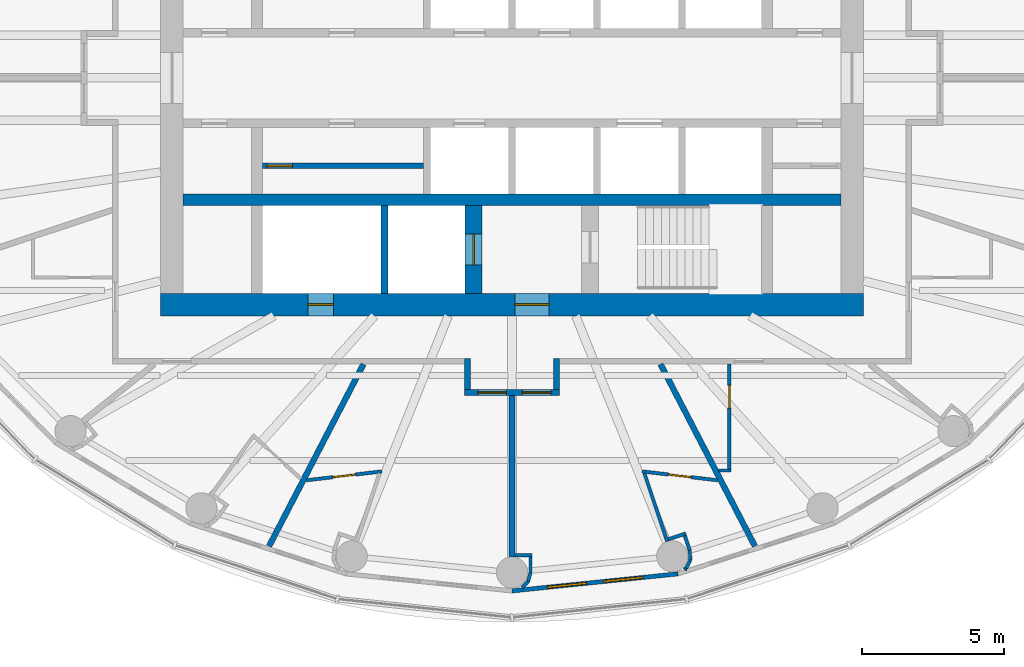
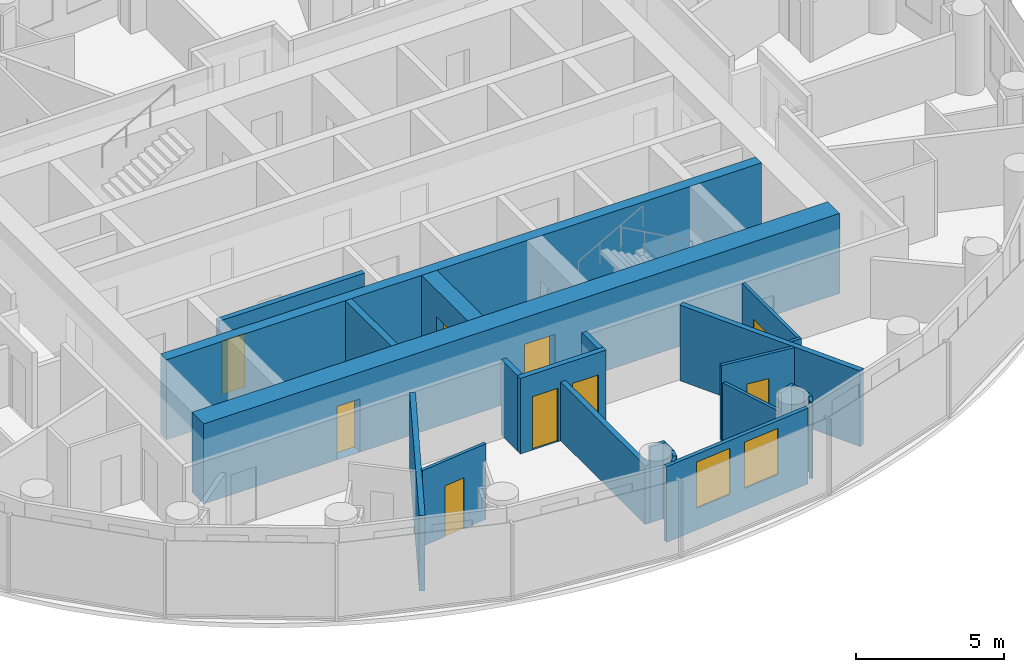
# One storey, part 7 of 16: 26 walls, 9 doors, 2 windows, 11 openings.
"""IFC4 building model written with IfcOpenShell, lengths in metres."""

import ifcopenshell
import ifcopenshell.guid

model = None  # the IFC model being written
_history = None  # IfcOwnerHistory: only IFC2X3 demands one
_inside = {}  # id of a spatial element -> (the spatial element, [elements in it])
_under = {}  # id of a project, library or spatial element -> (it, [spatial elements below it])
_declared = {}  # id of a project -> (the project, [libraries it declares])
_typed = {}  # id of a type object -> (the type object, [elements of that type])
_made_of = {}  # id of a material, layer set ... -> (it, [elements and type objects made of it])


def new_model(schema):
    """Start an empty IFC model of exactly this schema.

    Asked for "IFC4X3", IfcOpenShell would pick the latest addendum, in which some entities
    have other attributes; the version numbers below select the first issue.
    IFC2X3 requires an IfcOwnerHistory on every rooted entity: one is made here for all.
    """
    global model, _history
    if schema == "IFC4X3":
        model = ifcopenshell.file(schema_version=(4, 3, 0, 0))
    else:
        model = ifcopenshell.file(schema=schema)
    _inside.clear()
    _under.clear()
    _declared.clear()
    _typed.clear()
    _made_of.clear()
    _history = None
    if model.schema == "IFC2X3":
        org = make("IfcOrganization", Name="unknown")
        user = make(
            "IfcPersonAndOrganization",
            ThePerson=make("IfcPerson", FamilyName="unknown"),
            TheOrganization=org,
        )
        app = make(
            "IfcApplication",
            ApplicationDeveloper=org,
            Version="unknown",
            ApplicationFullName="unknown",
            ApplicationIdentifier="unknown",
        )
        _history = make(
            "IfcOwnerHistory",
            OwningUser=user,
            OwningApplication=app,
            ChangeAction="ADDED",
            CreationDate=0,
        )
    return model


def make(cls, **values):
    """One entity of the class cls with the attributes given. An attribute that is None is left unset."""
    return model.create_entity(
        cls, **{name: value for name, value in values.items() if value is not None}
    )


def rooted(cls, **values):
    """An entity with a GlobalId (a new one), such as an element, a storey or a relation."""
    return make(cls, GlobalId=ifcopenshell.guid.new(), OwnerHistory=_history, **values)


def si_unit(unit_type, name, prefix=None):
    """IfcSIUnit, for example si_unit("LENGTHUNIT", "METRE", prefix="MILLI")."""
    return make("IfcSIUnit", UnitType=unit_type, Prefix=prefix, Name=name)


def assignment(units):
    """IfcUnitAssignment: the units of a project."""
    return None if units is None else make("IfcUnitAssignment", Units=units)


def point(xyz):
    """IfcCartesianPoint."""
    return None if xyz is None else make("IfcCartesianPoint", Coordinates=xyz)


def direction(xyz):
    """IfcDirection."""
    return None if xyz is None else make("IfcDirection", DirectionRatios=xyz)


def frame(location, z_axis=None, x_axis=None):
    """IfcAxis2Placement3D, a coordinate frame: its origin and axes. An axis left out is left unset."""
    return make(
        "IfcAxis2Placement3D",
        Location=point(location),
        Axis=direction(z_axis),
        RefDirection=direction(x_axis),
    )


def frame_2d(location, x_axis=None):
    """IfcAxis2Placement2D, a coordinate frame in the plane: its origin and x axis."""
    return make(
        "IfcAxis2Placement2D", Location=point(location), RefDirection=direction(x_axis)
    )


def origin():
    """The frame at (0, 0, 0) with its axes left unset."""
    return frame((0.0, 0.0, 0.0))


def place(relative_to, where):
    """IfcLocalPlacement: puts the frame where relative to a parent placement (None: the world)."""
    return make(
        "IfcLocalPlacement", PlacementRelTo=relative_to, RelativePlacement=where
    )


def context(
    kind, dimensions, precision=None, world=None, true_north=None, identifier=None
):
    """IfcGeometricRepresentationContext, for example the 3D "Model" context."""
    return make(
        "IfcGeometricRepresentationContext",
        ContextIdentifier=identifier,
        ContextType=kind,
        CoordinateSpaceDimension=dimensions,
        Precision=precision,
        WorldCoordinateSystem=world,
        TrueNorth=true_north,
    )


def subcontext(parent, identifier, kind, view, scale=None):
    """IfcGeometricRepresentationSubContext, for example "Body" below "Model"."""
    return make(
        "IfcGeometricRepresentationSubContext",
        ContextIdentifier=identifier,
        ContextType=kind,
        ParentContext=parent,
        TargetScale=scale,
        TargetView=view,
    )


def project(units=None, contexts=None):
    """IfcProject with its units and contexts."""
    return rooted(
        "IfcProject",
        Name="project",
        RepresentationContexts=contexts,
        UnitsInContext=assignment(units),
    )


def spatial(cls, under=None, at=None, **own):
    """A site, building, storey or space (cls), placed at a placement, below another one or the project."""
    s = rooted(cls, ObjectPlacement=at, **own)
    if under is not None:
        _under.setdefault(under.id(), (under, []))[1].append(s)
    return s


def profile(cls, at=None, kind="AREA", **sizes):
    """A parametric profile (cls). Its sizes go by their IFC names, for example OverallWidth=200.0."""
    return make(cls, ProfileType=kind, Position=at, **sizes)


def rectangle(**sizes):
    """IfcRectangleProfileDef."""
    return profile("IfcRectangleProfileDef", **sizes)


def extrude(swept, where, along, depth):
    """IfcExtrudedAreaSolid: the profile swept, set in the frame where, extruded along a direction by depth."""
    return make(
        "IfcExtrudedAreaSolid",
        SweptArea=swept,
        Position=where,
        ExtrudedDirection=direction(along),
        Depth=depth,
    )


def shape(context_of_items, identifier, shape_type, items):
    """IfcShapeRepresentation: the items that make up one representation, for example the "Body"."""
    return make(
        "IfcShapeRepresentation",
        ContextOfItems=context_of_items,
        RepresentationIdentifier=identifier,
        RepresentationType=shape_type,
        Items=items,
    )


def material(Name=None, Category=None):
    """IfcMaterial."""
    return make("IfcMaterial", Name=Name, Category=Category)


def layer(
    of_material, thickness, ventilated=None, Name=None, Category=None, Priority=None
):
    """IfcMaterialLayer: one layer of a wall or slab, of a material (None: an air gap)."""
    return make(
        "IfcMaterialLayer",
        Material=of_material,
        LayerThickness=thickness,
        IsVentilated=ventilated,
        Name=Name,
        Category=Category,
        Priority=Priority,
    )


def layer_set(layers, Name=None):
    """IfcMaterialLayerSet."""
    return make("IfcMaterialLayerSet", MaterialLayers=layers, LayerSetName=Name)


def made_of(thing, what):
    """Note that an element or type object is made of a material, layer set ...; save() writes the relation."""
    if what is not None:
        _made_of.setdefault(what.id(), (what, []))[1].append(thing)
    return thing


def type_object(cls, material=None, **own):
    """A type object (cls), such as IfcWallType, which elements share."""
    return made_of(rooted(cls, **own), material)


def element(
    cls,
    number,
    at=None,
    inside=None,
    cuts=None,
    type_object=None,
    material=None,
    context=None,
    identifier="Body",
    shape_type=None,
    held_by="IfcProductDefinitionShape",
    body=None,
    shapes=None,
    **own,
):
    """One element of the class cls, such as IfcWall. Its Tag is "e" and its number.

    at: its placement. inside: the storey or other place that contains it. cuts: it is an
    opening in that element (IfcRelVoidsElement). A single representation is given by context,
    identifier, shape_type and body (its items); several are given by shapes. held_by: the class
    of the entity that holds the representations. save() writes the other relations.
    """
    e = rooted(cls, Tag="e%d" % number, ObjectPlacement=at, **own)
    if body is not None:
        shapes = [shape(context, identifier, shape_type, body)]
    if shapes is not None:
        e.Representation = make(held_by, Representations=shapes)
    if inside is not None:
        _inside.setdefault(inside.id(), (inside, []))[1].append(e)
    if cuts is not None:
        rooted(
            "IfcRelVoidsElement", RelatingBuildingElement=cuts, RelatedOpeningElement=e
        )
    if type_object is not None:
        _typed.setdefault(type_object.id(), (type_object, []))[1].append(e)
    return made_of(e, material)


def fill(opening, filler):
    """IfcRelFillsElement: the door or window that sits in an opening."""
    return rooted(
        "IfcRelFillsElement",
        RelatingOpeningElement=opening,
        RelatedBuildingElement=filler,
    )


def aggregate(whole, parts):
    """IfcRelAggregates: a whole, such as a stair, and the parts it consists of."""
    return rooted("IfcRelAggregates", RelatingObject=whole, RelatedObjects=parts)


def save(model, path):
    """Write the relations noted so far, then the file.

    IfcRelAggregates (storeys below a building ...), IfcRelContainedInSpatialStructure (elements
    in a storey), IfcRelDefinesByType, IfcRelAssociatesMaterial and IfcRelDeclares: one each for
    every whole, place, type object, material and project.
    """
    for whole, parts in _under.values():
        aggregate(whole, parts)
    for where, things in _inside.values():
        rooted(
            "IfcRelContainedInSpatialStructure",
            RelatedElements=things,
            RelatingStructure=where,
        )
    for kind, things in _typed.values():
        rooted("IfcRelDefinesByType", RelatedObjects=things, RelatingType=kind)
    for what, things in _made_of.values():
        rooted("IfcRelAssociatesMaterial", RelatedObjects=things, RelatingMaterial=what)
    for by, libraries in _declared.values():
        rooted("IfcRelDeclares", RelatingContext=by, RelatedDefinitions=libraries)
    model.write(path)


model = new_model("IFC4")

# Units and contexts
model_context = context("Model", 3, precision=1e-05, world=origin(), true_north=direction((0.0, 1.0)))
body_context = subcontext(model_context, "Body", "Model", "MODEL_VIEW")
ifc_project = project(units=[si_unit("LENGTHUNIT", "METRE"), si_unit("AREAUNIT", "SQUARE_METRE"), si_unit("VOLUMEUNIT", "CUBIC_METRE"), si_unit("PLANEANGLEUNIT", "RADIAN"), si_unit("MASSUNIT", "GRAM", prefix="KILO")], contexts=[model_context])

# Site, building, storey
site_placement = place(None, origin())
site = spatial("IfcSite", under=ifc_project, at=site_placement, CompositionType="ELEMENT")
building_placement = place(site_placement, origin())
building = spatial("IfcBuilding", under=site, at=building_placement, Name="Hankou Lantern Tower", CompositionType="ELEMENT")
storey_placement = place(building_placement, frame((0.0, 0.0, 150.0)))
storey = spatial("IfcBuildingStorey", under=building, at=storey_placement, Name="L39", CompositionType="ELEMENT", Elevation=150.0)

# Wall, openings, doors
ifc_material_1 = material(Name="Concrete C60", Category="concrete")
ifc_layer_1 = layer(ifc_material_1, 0.800048828125)
ifc_layer_set_1 = layer_set([ifc_layer_1], Name="Concrete C60")
wall_type_1 = type_object("IfcWallType", Name="CW2 CORE WALL 800", PredefinedType="SHEAR", material=ifc_layer_set_1)
wall_1_placement = place(storey_placement, frame((12.39990234375, -8.0, 0.0), z_axis=(0.0, 0.0, 1.0), x_axis=(-1.0, 0.0, 0.0)))
wall_1 = element("IfcWall", 1, at=wall_1_placement, inside=storey, type_object=wall_type_1, Name="Core wall south L39", PredefinedType="SHEAR", context=body_context, shape_type="SweptSolid", body=[
    extrude(rectangle(XDim=24.7998046875, YDim=0.800048828125, at=frame_2d((12.39990234375, 0.0))), origin(), (0.0, 0.0, 1.0), 3.300048828125),
])
opening_1_placement = place(wall_1_placement, frame((11.10009765625, 0.0, 0.0)))
opening_1 = element("IfcOpeningElement", 2, at=opening_1_placement, cuts=wall_1, Name="Opening D5", PredefinedType="OPENING", context=body_context, shape_type="SweptSolid", body=[
    extrude(rectangle(XDim=1.199951171875, YDim=2.199951171875, at=frame_2d((0.60009765625, 1.10009765625))), frame((0.0, 0.409912109375, 0.0), z_axis=(0.0, -1.0, 0.0), x_axis=(1.0, 0.0, 0.0)), (0.0, 0.0, 1.0), 0.820068359375),
])
opening_2_placement = place(wall_1_placement, frame((18.699951171875, 0.0, 0.0)))
opening_2 = element("IfcOpeningElement", 3, at=opening_2_placement, cuts=wall_1, Name="Opening D7", PredefinedType="OPENING", context=body_context, shape_type="SweptSolid", body=[
    extrude(rectangle(XDim=0.89990234375, YDim=2.199951171875, at=frame_2d((0.449951171875, 1.10009765625))), frame((0.0, 0.409912109375, 0.0), z_axis=(0.0, -1.0, 0.0), x_axis=(1.0, 0.0, 0.0)), (0.0, 0.0, 1.0), 0.820068359375),
])
ifc_material_2 = material(Name="Steel door leaf", Category="steel")
door_type_1 = type_object("IfcDoorType", Name="D5 STAIR LOBBY DOOR 1200X2200", OperationType="SINGLE_SWING_LEFT", PredefinedType="DOOR", material=ifc_material_2)
door_1_placement = place(opening_1_placement, origin())
door_1 = element("IfcDoor", 4, at=door_1_placement, inside=storey, type_object=door_type_1, Name="Stair B lobby door", OperationType="SINGLE_SWING_LEFT", OverallHeight=2.199951171875, OverallWidth=1.199951171875, PredefinedType="DOOR", context=body_context, shape_type="SweptSolid", body=[
    extrude(rectangle(XDim=1.199951171875, YDim=2.199951171875, at=frame_2d((0.60009765625, 1.10009765625))), frame((0.0, 0.02490234375, 0.0), z_axis=(0.0, -1.0, 0.0), x_axis=(1.0, 0.0, 0.0)), (0.0, 0.0, 1.0), 0.050048828125),
])
fill(opening_1, door_1)
ifc_material_3 = material(Name="Steel door leaf", Category="steel")
door_type_2 = type_object("IfcDoorType", Name="D7 RISER DOOR 900X2200", OperationType="SINGLE_SWING_LEFT", PredefinedType="DOOR", material=ifc_material_3)
door_2_placement = place(opening_2_placement, origin())
door_2 = element("IfcDoor", 5, at=door_2_placement, inside=storey, type_object=door_type_2, Name="Riser S1 door", OperationType="SINGLE_SWING_RIGHT", OverallHeight=2.199951171875, OverallWidth=0.89990234375, PredefinedType="DOOR", context=body_context, shape_type="SweptSolid", body=[
    extrude(rectangle(XDim=0.89990234375, YDim=2.199951171875, at=frame_2d((0.449951171875, 1.10009765625))), frame((0.0, 0.02490234375, 0.0), z_axis=(0.0, -1.0, 0.0), x_axis=(1.0, 0.0, 0.0)), (0.0, 0.0, 1.0), 0.050048828125),
])
fill(opening_2, door_2)

# Wall
ifc_material_4 = material(Name="Concrete C60", Category="concrete")
ifc_layer_2 = layer(ifc_material_4, 0.39990234375)
ifc_layer_set_2 = layer_set([ifc_layer_2], Name="Concrete C60")
wall_type_2 = type_object("IfcWallType", Name="CW4 CORE CROSS WALL 400", PredefinedType="SHEAR", material=ifc_layer_set_2)
wall_2_placement = place(storey_placement, frame((-11.60009765625, -4.300048828125, 0.0), z_axis=(0.0, 0.0, 1.0), x_axis=(1.0, 0.0, 0.0)))
element("IfcWall", 6, at=wall_2_placement, inside=storey, type_object=wall_type_2, Name="Core band wall south L39", PredefinedType="SHEAR", context=body_context, shape_type="SweptSolid", body=[
    extrude(rectangle(XDim=23.2001953125, YDim=0.39990234375, at=frame_2d((11.60009765625, 0.0))), origin(), (0.0, 0.0, 1.0), 3.300048828125),
])

# Wall, opening, door
ifc_material_5 = material(Name="Concrete C60", Category="concrete")
ifc_layer_3 = layer(ifc_material_5, 0.60009765625)
ifc_layer_set_3 = layer_set([ifc_layer_3], Name="Concrete C60")
wall_type_3 = type_object("IfcWallType", Name="CW6 STAIR AND SHAFT WALL 600", PredefinedType="SHEAR", material=ifc_layer_set_3)
wall_3_placement = place(storey_placement, frame((-1.35009765625, -7.60009765625, 0.0), z_axis=(0.0, 0.0, 1.0), x_axis=(0.0, 1.0, 0.0)))
wall_3 = element("IfcWall", 7, at=wall_3_placement, inside=storey, type_object=wall_type_3, Name="Firefighting lift shaft wall L39", PredefinedType="SHEAR", context=body_context, shape_type="SweptSolid", body=[
    extrude(rectangle(XDim=3.10009765625, YDim=0.60009765625, at=frame_2d((1.550048828125, 0.0))), origin(), (0.0, 0.0, 1.0), 3.300048828125),
])
opening_3_placement = place(wall_3_placement, frame((1.0, 0.0, 0.0)))
opening_3 = element("IfcOpeningElement", 8, at=opening_3_placement, cuts=wall_3, Name="Opening LD2", PredefinedType="OPENING", context=body_context, shape_type="SweptSolid", body=[
    extrude(rectangle(XDim=1.10009765625, YDim=2.199951171875, at=frame_2d((0.550048828125, 1.10009765625))), frame((0.0, 0.31005859375, 0.0), z_axis=(0.0, -1.0, 0.0), x_axis=(1.0, 0.0, 0.0)), (0.0, 0.0, 1.0), 0.6201171875),
])
ifc_material_6 = material(Name="Steel door leaf", Category="steel")
door_type_3 = type_object("IfcDoorType", Name="LD2 FIREFIGHTING LIFT LANDING DOOR 1100X2200", OperationType="DOUBLE_DOOR_SLIDING", PredefinedType="DOOR", material=ifc_material_6)
door_3_placement = place(opening_3_placement, origin())
door_3 = element("IfcDoor", 9, at=door_3_placement, inside=storey, type_object=door_type_3, Name="Firefighting lift FL2 landing door", OperationType="DOUBLE_DOOR_SLIDING", OverallHeight=2.199951171875, OverallWidth=1.10009765625, PredefinedType="DOOR", context=body_context, shape_type="SweptSolid", body=[
    extrude(rectangle(XDim=1.10009765625, YDim=2.199951171875, at=frame_2d((0.550048828125, 1.10009765625))), frame((0.0, 0.02490234375, 0.0), z_axis=(0.0, -1.0, 0.0), x_axis=(1.0, 0.0, 0.0)), (0.0, 0.0, 1.0), 0.050048828125),
])
fill(opening_3, door_3)

# Wall, openings, windows
ifc_material_7 = material(Name="Aluminium spandrel panel on steel studs", Category="steel")
ifc_layer_4 = layer(ifc_material_7, 0.14990234375)
ifc_layer_set_4 = layer_set([ifc_layer_4], Name="Aluminium spandrel panel on steel studs")
wall_type_4 = type_object("IfcWallType", Name="EW1 INNER SKIN WALL 150", PredefinedType="ELEMENTEDWALL", material=ifc_layer_set_4)
wall_4_placement = place(storey_placement, frame((0.0, -18.10009765625, 0.0), z_axis=(0.0, 0.0, 1.0), x_axis=(0.994751738032, 0.102318032045, 0.0)))
wall_4 = element("IfcWall", 10, at=wall_4_placement, inside=storey, type_object=wall_type_4, Name="Inner skin R19-R20 L39", PredefinedType="ELEMENTEDWALL", context=body_context, shape_type="SweptSolid", body=[
    extrude(rectangle(XDim=5.891357421875, YDim=0.14990234375, at=frame_2d((2.94580078125, 0.0))), origin(), (0.0, 0.0, 1.0), 3.1201171875),
])
opening_4_placement = place(wall_4_placement, frame((1.24560546875, 0.0, 0.89990234375)))
opening_4 = element("IfcOpeningElement", 11, at=opening_4_placement, cuts=wall_4, Name="Opening W3", PredefinedType="OPENING", context=body_context, shape_type="SweptSolid", body=[
    extrude(rectangle(XDim=1.39990234375, YDim=1.89990234375, at=frame_2d((0.699951171875, 0.949951171875))), frame((0.0, 0.0849609375, 0.0), z_axis=(0.0, -1.0, 0.0), x_axis=(1.0, 0.0, 0.0)), (0.0, 0.0, 1.0), 0.169921875),
])
opening_5_placement = place(wall_4_placement, frame((3.24560546875, 0.0, 0.89990234375)))
opening_5 = element("IfcOpeningElement", 12, at=opening_5_placement, cuts=wall_4, Name="Opening W3", PredefinedType="OPENING", context=body_context, shape_type="SweptSolid", body=[
    extrude(rectangle(XDim=1.39990234375, YDim=1.89990234375, at=frame_2d((0.699951171875, 0.949951171875))), frame((0.0, 0.0849609375, 0.0), z_axis=(0.0, -1.0, 0.0), x_axis=(1.0, 0.0, 0.0)), (0.0, 0.0, 1.0), 0.169921875),
])
ifc_material_8 = material(Name="Aluminium framed double glazed window", Category="aluminium")
window_type = type_object("IfcWindowType", Name="W3 GUEST ROOM WINDOW 1400X1900", PartitioningType="DOUBLE_PANEL_VERTICAL", PredefinedType="WINDOW", material=ifc_material_8)
window_1_placement = place(opening_4_placement, origin())
window_1 = element("IfcWindow", 13, at=window_1_placement, inside=storey, type_object=window_type, Name="Window R19.1 L39", OverallHeight=1.89990234375, OverallWidth=1.39990234375, PartitioningType="SINGLE_PANEL", PredefinedType="WINDOW", context=body_context, shape_type="SweptSolid", body=[
    extrude(rectangle(XDim=1.39990234375, YDim=1.89990234375, at=frame_2d((0.699951171875, 0.949951171875))), frame((0.0, 0.030029296875, 0.0), z_axis=(0.0, -1.0, 0.0), x_axis=(1.0, 0.0, 0.0)), (0.0, 0.0, 1.0), 0.06005859375),
])
fill(opening_4, window_1)
window_2_placement = place(opening_5_placement, origin())
window_2 = element("IfcWindow", 14, at=window_2_placement, inside=storey, type_object=window_type, Name="Window R19.2 L39", OverallHeight=1.89990234375, OverallWidth=1.39990234375, PartitioningType="SINGLE_PANEL", PredefinedType="WINDOW", context=body_context, shape_type="SweptSolid", body=[
    extrude(rectangle(XDim=1.39990234375, YDim=1.89990234375, at=frame_2d((0.699951171875, 0.949951171875))), frame((0.0, 0.030029296875, 0.0), z_axis=(0.0, -1.0, 0.0), x_axis=(1.0, 0.0, 0.0)), (0.0, 0.0, 1.0), 0.06005859375),
])
fill(opening_5, window_2)

# Walls
ifc_material_9 = material(Name="Masonry lightweight concrete block", Category="masonry")
ifc_layer_5 = layer(ifc_material_9, 0.199951171875)
ifc_layer_set_5 = layer_set([ifc_layer_5], Name="Masonry lightweight concrete block")
wall_type_5 = type_object("IfcWallType", Name="IW1 GUEST ROOM PARTY WALL 200", PredefinedType="PARTITIONING", material=ifc_layer_set_5)
wall_5_placement = place(storey_placement, frame((-5.239990234375, -10.10009765625, 0.0), z_axis=(0.0, 0.0, 1.0), x_axis=(-0.460532965373, -0.887642601391, 0.0)))
element("IfcWall", 15, at=wall_5_placement, inside=storey, type_object=wall_type_5, Name="Party wall R17-R18", PredefinedType="PARTITIONING", context=body_context, shape_type="SweptSolid", body=[
    extrude(rectangle(XDim=7.2314453125, YDim=0.199951171875, at=frame_2d((3.61572265625, 0.0))), origin(), (0.0, 0.0, 1.0), 3.1201171875),
])
wall_6_placement = place(storey_placement, frame((0.0, -11.199951171875, 0.0), z_axis=(0.0, 0.0, 1.0), x_axis=(0.0, -1.0, 0.0)))
element("IfcWall", 16, at=wall_6_placement, inside=storey, type_object=wall_type_5, Name="Party wall R19", PredefinedType="PARTITIONING", context=body_context, shape_type="SweptSolid", body=[
    extrude(rectangle(XDim=5.699951171875, YDim=0.199951171875, at=frame_2d((2.85009765625, 0.0))), origin(), (0.0, 0.0, 1.0), 2.419921875),
])
wall_7_placement = place(storey_placement, frame((5.239990234375, -10.10009765625, 0.0), z_axis=(0.0, 0.0, 1.0), x_axis=(0.460532965373, -0.887642601391, 0.0)))
element("IfcWall", 17, at=wall_7_placement, inside=storey, type_object=wall_type_5, Name="Party wall R20-R21", PredefinedType="PARTITIONING", context=body_context, shape_type="SweptSolid", body=[
    extrude(rectangle(XDim=7.2314453125, YDim=0.199951171875, at=frame_2d((3.61572265625, 0.0))), origin(), (0.0, 0.0, 1.0), 3.1201171875),
])

# Wall, openings, doors
ifc_material_10 = material(Name="Masonry lightweight concrete block", Category="masonry")
ifc_layer_6 = layer(ifc_material_10, 0.199951171875)
ifc_layer_set_6 = layer_set([ifc_layer_6], Name="Masonry lightweight concrete block")
wall_type_6 = type_object("IfcWallType", Name="IW2 CORRIDOR WALL 200", PredefinedType="PARTITIONING", material=ifc_layer_set_6)
wall_8_placement = place(storey_placement, frame((1.669921875, -11.10009765625, 0.0), z_axis=(0.0, 0.0, 1.0), x_axis=(-1.0, 0.0, 0.0)))
wall_8 = element("IfcWall", 18, at=wall_8_placement, inside=storey, type_object=wall_type_6, Name="Corridor alcove wall 3911-3912 back", PredefinedType="PARTITIONING", context=body_context, shape_type="SweptSolid", body=[
    extrude(rectangle(XDim=3.33984375, YDim=0.199951171875, at=frame_2d((1.669921875, 0.0))), origin(), (0.0, 0.0, 1.0), 3.1201171875),
])
opening_6_placement = place(wall_8_placement, frame((1.8701171875, 0.0, 0.0)))
opening_6 = element("IfcOpeningElement", 19, at=opening_6_placement, cuts=wall_8, Name="Opening D1", PredefinedType="OPENING", context=body_context, shape_type="SweptSolid", body=[
    extrude(rectangle(XDim=1.0, YDim=2.199951171875, at=frame_2d((0.5, 1.10009765625))), frame((0.0, 0.10986328125, 0.0), z_axis=(0.0, -1.0, 0.0), x_axis=(1.0, 0.0, 0.0)), (0.0, 0.0, 1.0), 0.219970703125),
])
opening_7_placement = place(wall_8_placement, frame((0.300048828125, 0.0, 0.0)))
opening_7 = element("IfcOpeningElement", 20, at=opening_7_placement, cuts=wall_8, Name="Opening D1", PredefinedType="OPENING", context=body_context, shape_type="SweptSolid", body=[
    extrude(rectangle(XDim=1.0, YDim=2.199951171875, at=frame_2d((0.5, 1.10009765625))), frame((0.0, 0.10986328125, 0.0), z_axis=(0.0, -1.0, 0.0), x_axis=(1.0, 0.0, 0.0)), (0.0, 0.0, 1.0), 0.219970703125),
])
ifc_material_11 = material(Name="Steel door leaf", Category="steel")
door_type_4 = type_object("IfcDoorType", Name="D1 GUEST ROOM DOOR 1000X2200", OperationType="SINGLE_SWING_LEFT", PredefinedType="DOOR", material=ifc_material_11)
door_4_placement = place(opening_6_placement, origin())
door_4 = element("IfcDoor", 21, at=door_4_placement, inside=storey, type_object=door_type_4, Name="Guest room door 3911", OperationType="SINGLE_SWING_LEFT", OverallHeight=2.199951171875, OverallWidth=1.0, PredefinedType="DOOR", context=body_context, shape_type="SweptSolid", body=[
    extrude(rectangle(XDim=1.0, YDim=2.199951171875, at=frame_2d((0.5, 1.10009765625))), frame((0.0, 0.02490234375, 0.0), z_axis=(0.0, -1.0, 0.0), x_axis=(1.0, 0.0, 0.0)), (0.0, 0.0, 1.0), 0.050048828125),
])
fill(opening_6, door_4)
door_5_placement = place(opening_7_placement, origin())
door_5 = element("IfcDoor", 22, at=door_5_placement, inside=storey, type_object=door_type_4, Name="Guest room door 3912", OperationType="SINGLE_SWING_RIGHT", OverallHeight=2.199951171875, OverallWidth=1.0, PredefinedType="DOOR", context=body_context, shape_type="SweptSolid", body=[
    extrude(rectangle(XDim=1.0, YDim=2.199951171875, at=frame_2d((0.5, 1.10009765625))), frame((0.0, 0.02490234375, 0.0), z_axis=(0.0, -1.0, 0.0), x_axis=(1.0, 0.0, 0.0)), (0.0, 0.0, 1.0), 0.050048828125),
])
fill(opening_7, door_5)

# Walls
for number, where, z_axis, x_axis, name in (
    (23, (1.570068359375, -9.89990234375, 0.0), (0.0, 0.0, 1.0), (0.0, -1.0, 0.0), "Corridor alcove wall 3911-3912 left"),
    (24, (-1.570068359375, -9.89990234375, 0.0), (0.0, 0.0, 1.0), (0.0, -1.0, 0.0), "Corridor alcove wall 3911-3912 right"),
):
    element("IfcWall", number, at=place(storey_placement, frame(where, z_axis=z_axis, x_axis=x_axis)), inside=storey, type_object=wall_type_6, Name=name, PredefinedType="PARTITIONING", context=body_context, shape_type="SweptSolid", body=[
        extrude(rectangle(XDim=1.10009765625, YDim=0.199951171875, at=frame_2d((0.550048828125, 0.0))), origin(), (0.0, 0.0, 1.0), 3.1201171875),
    ])

# Wall, opening, door
ifc_material_12 = material(Name="Masonry lightweight concrete block", Category="masonry")
ifc_layer_7 = layer(ifc_material_12, 0.1201171875)
ifc_layer_set_7 = layer_set([ifc_layer_7], Name="Masonry lightweight concrete block")
wall_type_7 = type_object("IfcWallType", Name="IW3 BATHROOM WALL 120", PredefinedType="PARTITIONING", material=ifc_layer_set_7)
wall_9_placement = place(storey_placement, frame((-7.2529296875, -14.197021484375, 0.0), z_axis=(0.0, 0.0, 1.0), x_axis=(0.993128188393, 0.117031625725, 0.0)))
wall_9 = element("IfcWall", 25, at=wall_9_placement, inside=storey, type_object=wall_type_7, Name="Box wall 3911 1", PredefinedType="PARTITIONING", context=body_context, shape_type="SweptSolid", body=[
    extrude(rectangle(XDim=2.678466796875, YDim=0.1201171875, at=frame_2d((1.33935546875, 0.0))), origin(), (0.0, 0.0, 1.0), 3.1201171875),
])
opening_8_placement = place(wall_9_placement, frame((0.939208984375, 0.0, 0.0)))
opening_8 = element("IfcOpeningElement", 26, at=opening_8_placement, cuts=wall_9, Name="Opening D3", PredefinedType="OPENING", context=body_context, shape_type="SweptSolid", body=[
    extrude(rectangle(XDim=0.800048828125, YDim=2.10009765625, at=frame_2d((0.39990234375, 1.050048828125))), frame((0.0, 0.070068359375, 0.0), z_axis=(0.0, -1.0, 0.0), x_axis=(1.0, 0.0, 0.0)), (0.0, 0.0, 1.0), 0.14013671875),
])
ifc_material_13 = material(Name="Timber door leaf", Category="wood")
door_type_5 = type_object("IfcDoorType", Name="D3 BATHROOM DOOR 800X2100", OperationType="SINGLE_SWING_LEFT", PredefinedType="DOOR", material=ifc_material_13)
door_6_placement = place(opening_8_placement, origin())
door_6 = element("IfcDoor", 27, at=door_6_placement, inside=storey, type_object=door_type_5, Name="En-suite bathroom 3911 door", OperationType="SINGLE_SWING_LEFT", OverallHeight=2.10009765625, OverallWidth=0.800048828125, PredefinedType="DOOR", context=body_context, shape_type="SweptSolid", body=[
    extrude(rectangle(XDim=0.800048828125, YDim=2.10009765625, at=frame_2d((0.39990234375, 1.050048828125))), frame((0.0, 0.02490234375, 0.0), z_axis=(0.0, -1.0, 0.0), x_axis=(1.0, 0.0, 0.0)), (0.0, 0.0, 1.0), 0.050048828125),
])
fill(opening_8, door_6)

wall_10_placement = place(storey_placement, frame((7.2529296875, -14.197021484375, 0.0), z_axis=(0.0, 0.0, 1.0), x_axis=(-0.993128188393, 0.117031625725, 0.0)))
wall_10 = element("IfcWall", 28, at=wall_10_placement, inside=storey, type_object=wall_type_7, Name="Box wall 3912 1", PredefinedType="PARTITIONING", context=body_context, shape_type="SweptSolid", body=[
    extrude(rectangle(XDim=2.678466796875, YDim=0.1201171875, at=frame_2d((1.33935546875, 0.0))), origin(), (0.0, 0.0, 1.0), 3.1201171875),
])
opening_9_placement = place(wall_10_placement, frame((0.939208984375, 0.0, 0.0)))
opening_9 = element("IfcOpeningElement", 29, at=opening_9_placement, cuts=wall_10, Name="Opening D3", PredefinedType="OPENING", context=body_context, shape_type="SweptSolid", body=[
    extrude(rectangle(XDim=0.800048828125, YDim=2.10009765625, at=frame_2d((0.39990234375, 1.050048828125))), frame((0.0, 0.070068359375, 0.0), z_axis=(0.0, -1.0, 0.0), x_axis=(1.0, 0.0, 0.0)), (0.0, 0.0, 1.0), 0.14013671875),
])
door_7_placement = place(opening_9_placement, origin())
door_7 = element("IfcDoor", 30, at=door_7_placement, inside=storey, type_object=door_type_5, Name="En-suite bathroom 3912 door", OperationType="SINGLE_SWING_RIGHT", OverallHeight=2.10009765625, OverallWidth=0.800048828125, PredefinedType="DOOR", context=body_context, shape_type="SweptSolid", body=[
    extrude(rectangle(XDim=0.800048828125, YDim=2.10009765625, at=frame_2d((0.39990234375, 1.050048828125))), frame((0.0, 0.02490234375, 0.0), z_axis=(0.0, -1.0, 0.0), x_axis=(1.0, 0.0, 0.0)), (0.0, 0.0, 1.0), 0.050048828125),
])
fill(opening_9, door_7)

# Walls
wall_11_placement = place(storey_placement, frame((4.67138671875, -13.947509765625, 0.0), z_axis=(0.0, 0.0, 1.0), x_axis=(0.317669167093, -0.948201613729, 0.0)))
element("IfcWall", 31, at=wall_11_placement, inside=storey, type_object=wall_type_7, Name="Box wall 3912 2", PredefinedType="PARTITIONING", context=body_context, shape_type="SweptSolid", body=[
    extrude(rectangle(XDim=2.5400390625, YDim=0.1201171875, at=frame_2d((1.27001953125, 0.0))), origin(), (0.0, 0.0, 1.0), 2.419921875),
])
wall_12_placement = place(storey_placement, frame((5.51611328125, -16.280029296875, 0.0), z_axis=(0.0, 0.0, 1.0), x_axis=(0.948157944392, 0.317799484717, 0.0)))
element("IfcWall", 32, at=wall_12_placement, inside=storey, type_object=wall_type_7, Name="Column casing 3912 return", PredefinedType="PARTITIONING", context=body_context, shape_type="SweptSolid", body=[
    extrude(rectangle(XDim=0.652099609375, YDim=0.1201171875, at=frame_2d((0.326171875, 0.0))), origin(), (0.0, 0.0, 1.0), 3.1201171875),
])
wall_13_placement = place(storey_placement, frame((6.0966796875, -16.148681640625, 0.0), z_axis=(0.0, 0.0, 1.0), x_axis=(0.317292604854, -0.948327687514, 0.0)))
element("IfcWall", 33, at=wall_13_placement, inside=storey, type_object=wall_type_7, Name="Column casing 3912", PredefinedType="PARTITIONING", context=body_context, shape_type="SweptSolid", body=[
    extrude(rectangle(XDim=0.550048828125, YDim=0.1201171875, at=frame_2d((0.27490234375, 0.0))), origin(), (0.0, 0.0, 1.0), 3.1201171875),
])
for number, where, z_axis, x_axis, name in (
    (34, (6.271240234375, -16.67041015625, 0.0), (0.0, 0.0, 1.0), (0.061477694849, -0.998108457552, 0.0), "Column casing 3912"),
    (35, (6.2919921875, -17.00732421875, 0.0), (0.0, 0.0, 1.0), (-0.445477128334, -0.895293319606, 0.0), "Column casing 3912"),
):
    element("IfcWall", number, at=place(storey_placement, frame(where, z_axis=z_axis, x_axis=x_axis)), inside=storey, type_object=wall_type_7, Name=name, PredefinedType="PARTITIONING", context=body_context, shape_type="SweptSolid", body=[
        extrude(rectangle(XDim=0.337646484375, YDim=0.1201171875, at=frame_2d((0.1689453125, 0.0))), origin(), (0.0, 0.0, 1.0), 3.1201171875),
    ])
wall_14_placement = place(storey_placement, frame((6.1416015625, -17.3095703125, 0.0), z_axis=(0.0, 0.0, 1.0), x_axis=(-0.835039693181, -0.550189704386, 0.0)))
element("IfcWall", 36, at=wall_14_placement, inside=storey, type_object=wall_type_7, Name="Column casing 3912", PredefinedType="PARTITIONING", context=body_context, shape_type="SweptSolid", body=[
    extrude(rectangle(XDim=0.0625, YDim=0.1201171875, at=frame_2d((0.03125, 0.0))), origin(), (0.0, 0.0, 1.0), 3.1201171875),
])
wall_15_placement = place(storey_placement, frame((7.28564453125, -13.85009765625, 0.0), z_axis=(0.0, 0.0, 1.0), x_axis=(1.0, 0.0, 0.0)))
element("IfcWall", 37, at=wall_15_placement, inside=storey, type_object=wall_type_7, Name="Box wall 3913 1", PredefinedType="PARTITIONING", context=body_context, shape_type="SweptSolid", body=[
    extrude(rectangle(XDim=0.4443359375, YDim=0.1201171875, at=frame_2d((0.22216796875, 0.0))), origin(), (0.0, 0.0, 1.0), 3.1201171875),
])

# Wall, opening, door
wall_16_placement = place(storey_placement, frame((7.670166015625, -10.10009765625, 0.0), z_axis=(0.0, 0.0, 1.0), x_axis=(0.0, -1.0, 0.0)))
wall_16 = element("IfcWall", 38, at=wall_16_placement, inside=storey, type_object=wall_type_7, Name="Box wall 3913 1", PredefinedType="PARTITIONING", context=body_context, shape_type="SweptSolid", body=[
    extrude(rectangle(XDim=3.68994140625, YDim=0.1201171875, at=frame_2d((1.844970703125, 0.0))), origin(), (0.0, 0.0, 1.0), 3.1201171875),
])
opening_10_placement = place(wall_16_placement, frame((0.75, 0.0, 0.0)))
opening_10 = element("IfcOpeningElement", 39, at=opening_10_placement, cuts=wall_16, Name="Opening D3", PredefinedType="OPENING", context=body_context, shape_type="SweptSolid", body=[
    extrude(rectangle(XDim=0.800048828125, YDim=2.10009765625, at=frame_2d((0.39990234375, 1.050048828125))), frame((0.0, 0.070068359375, 0.0), z_axis=(0.0, -1.0, 0.0), x_axis=(1.0, 0.0, 0.0)), (0.0, 0.0, 1.0), 0.14013671875),
])
door_8_placement = place(opening_10_placement, origin())
door_8 = element("IfcDoor", 40, at=door_8_placement, inside=storey, type_object=door_type_5, Name="En-suite bathroom 3913 door", OperationType="SINGLE_SWING_LEFT", OverallHeight=2.10009765625, OverallWidth=0.800048828125, PredefinedType="DOOR", context=body_context, shape_type="SweptSolid", body=[
    extrude(rectangle(XDim=0.800048828125, YDim=2.10009765625, at=frame_2d((0.39990234375, 1.050048828125))), frame((0.0, 0.02490234375, 0.0), z_axis=(0.0, -1.0, 0.0), x_axis=(1.0, 0.0, 0.0)), (0.0, 0.0, 1.0), 0.050048828125),
])
fill(opening_10, door_8)

# Walls
ifc_material_14 = material(Name="Masonry lightweight concrete block", Category="masonry")
ifc_layer_8 = layer(ifc_material_14, 0.1201171875)
ifc_layer_set_8 = layer_set([ifc_layer_8], Name="Masonry lightweight concrete block")
wall_type_8 = type_object("IfcWallType", Name="IW4 PARTITION 120", PredefinedType="PARTITIONING", material=ifc_layer_set_8)
wall_17_placement = place(storey_placement, frame((0.10009765625, -16.840087890625, 0.0), z_axis=(0.0, 0.0, 1.0), x_axis=(1.0, 0.0, 0.0)))
element("IfcWall", 41, at=wall_17_placement, inside=storey, type_object=wall_type_8, Name="Column casing R19 return", PredefinedType="PARTITIONING", context=body_context, shape_type="SweptSolid", body=[
    extrude(rectangle(XDim=0.612060546875, YDim=0.1201171875, at=frame_2d((0.30615234375, 0.0))), origin(), (0.0, 0.0, 1.0), 3.1201171875),
])
wall_18_placement = place(storey_placement, frame((0.65234375, -16.89990234375, 0.0), z_axis=(0.0, 0.0, 1.0), x_axis=(0.0, -1.0, 0.0)))
element("IfcWall", 42, at=wall_18_placement, inside=storey, type_object=wall_type_8, Name="Column casing R19", PredefinedType="PARTITIONING", context=body_context, shape_type="SweptSolid", body=[
    extrude(rectangle(XDim=0.550048828125, YDim=0.1201171875, at=frame_2d((0.27490234375, 0.0))), origin(), (0.0, 0.0, 1.0), 3.1201171875),
])
wall_19_placement = place(storey_placement, frame((0.65234375, -17.449951171875, 0.0), z_axis=(0.0, 0.0, 1.0), x_axis=(-0.258832454679, -0.965922233104, 0.0)))
element("IfcWall", 43, at=wall_19_placement, inside=storey, type_object=wall_type_8, Name="Column casing R19", PredefinedType="PARTITIONING", context=body_context, shape_type="SweptSolid", body=[
    extrude(rectangle(XDim=0.337646484375, YDim=0.1201171875, at=frame_2d((0.1689453125, 0.0))), origin(), (0.0, 0.0, 1.0), 3.1201171875),
])
wall_20_placement = place(storey_placement, frame((0.56494140625, -17.776123046875, 0.0), z_axis=(0.0, 0.0, 1.0), x_axis=(-0.707106781187, -0.707106781187, 0.0)))
element("IfcWall", 44, at=wall_20_placement, inside=storey, type_object=wall_type_8, Name="Column casing R19", PredefinedType="PARTITIONING", context=body_context, shape_type="SweptSolid", body=[
    extrude(rectangle(XDim=0.30078125, YDim=0.1201171875, at=frame_2d((0.150390625, 0.0))), origin(), (0.0, 0.0, 1.0), 3.1201171875),
])

# Wall, opening, door
ifc_material_15 = material(Name="Masonry lightweight concrete block", Category="masonry")
ifc_layer_9 = layer(ifc_material_15, 0.199951171875)
ifc_layer_set_9 = layer_set([ifc_layer_9], Name="Masonry lightweight concrete block")
wall_type_9 = type_object("IfcWallType", Name="IW8 PARTITION 200", PredefinedType="PARTITIONING", material=ifc_layer_set_9)
wall_21_placement = place(storey_placement, frame((-8.800048828125, -3.10009765625, 0.0), z_axis=(0.0, 0.0, 1.0), x_axis=(1.0, 0.0, 0.0)))
wall_21 = element("IfcWall", 45, at=wall_21_placement, inside=storey, type_object=wall_type_9, Name="Partition engineering store", PredefinedType="PARTITIONING", context=body_context, shape_type="SweptSolid", body=[
    extrude(rectangle(XDim=5.675048828125, YDim=0.199951171875, at=frame_2d((2.83740234375, 0.0))), origin(), (0.0, 0.0, 1.0), 3.1201171875),
])
opening_11_placement = place(wall_21_placement, frame((0.14990234375, 0.0, 0.0)))
opening_11 = element("IfcOpeningElement", 46, at=opening_11_placement, cuts=wall_21, Name="Opening D12", PredefinedType="OPENING", context=body_context, shape_type="SweptSolid", body=[
    extrude(rectangle(XDim=0.89990234375, YDim=2.199951171875, at=frame_2d((0.449951171875, 1.10009765625))), frame((0.0, 0.10986328125, 0.0), z_axis=(0.0, -1.0, 0.0), x_axis=(1.0, 0.0, 0.0)), (0.0, 0.0, 1.0), 0.219970703125),
])
ifc_material_16 = material(Name="Steel door leaf", Category="steel")
door_type_6 = type_object("IfcDoorType", Name="D12 STORE DOOR 900X2200", OperationType="SINGLE_SWING_LEFT", PredefinedType="DOOR", material=ifc_material_16)
door_9_placement = place(opening_11_placement, origin())
door_9 = element("IfcDoor", 47, at=door_9_placement, inside=storey, type_object=door_type_6, Name="Electrical cupboard door", OperationType="SINGLE_SWING_LEFT", OverallHeight=2.199951171875, OverallWidth=0.89990234375, PredefinedType="DOOR", context=body_context, shape_type="SweptSolid", body=[
    extrude(rectangle(XDim=0.89990234375, YDim=2.199951171875, at=frame_2d((0.449951171875, 1.10009765625))), frame((0.0, 0.02490234375, 0.0), z_axis=(0.0, -1.0, 0.0), x_axis=(1.0, 0.0, 0.0)), (0.0, 0.0, 1.0), 0.050048828125),
])
fill(opening_11, door_9)

# Wall
ifc_material_17 = material(Name="Masonry autoclaved aerated concrete block", Category="masonry")
ifc_layer_10 = layer(ifc_material_17, 0.25)
ifc_layer_set_10 = layer_set([ifc_layer_10], Name="Masonry autoclaved aerated concrete block")
wall_type_10 = type_object("IfcWallType", Name="SW1 SHAFT BLOCK WALL 250", PredefinedType="PARTITIONING", material=ifc_layer_set_10)
wall_22_placement = place(storey_placement, frame((-4.5, -7.60009765625, 0.0), z_axis=(0.0, 0.0, 1.0), x_axis=(0.0, 1.0, 0.0)))
element("IfcWall", 48, at=wall_22_placement, inside=storey, type_object=wall_type_10, Name="Riser wall L39", PredefinedType="PARTITIONING", context=body_context, shape_type="SweptSolid", body=[
    extrude(rectangle(XDim=3.10009765625, YDim=0.25, at=frame_2d((1.550048828125, 0.0))), origin(), (0.0, 0.0, 1.0), 3.300048828125),
])

save(model, "model.ifc")
